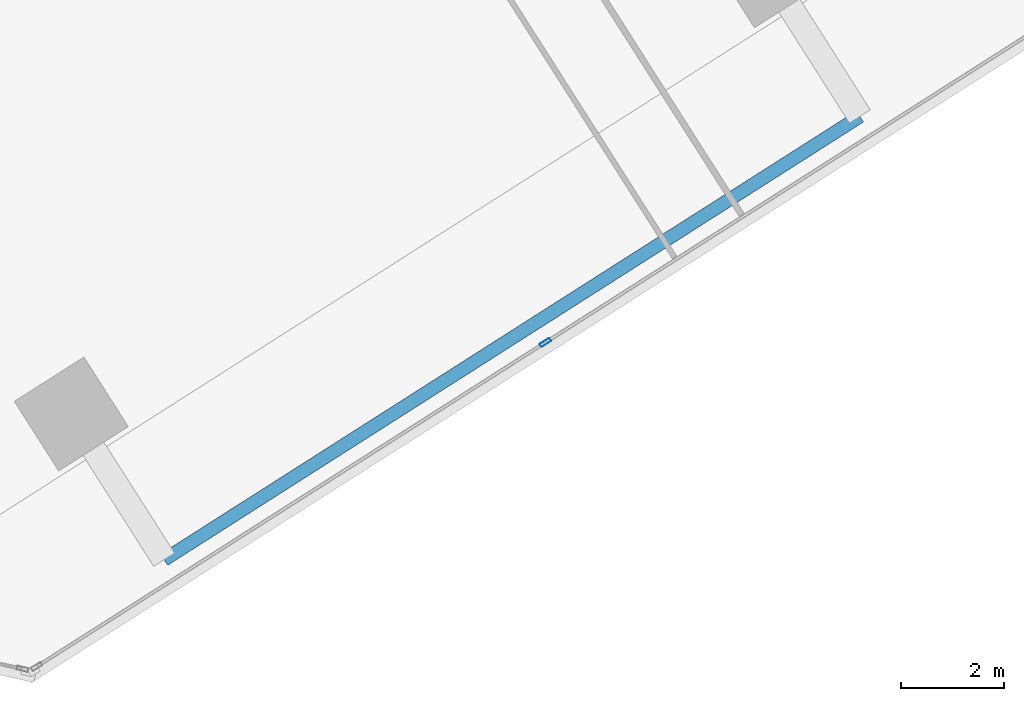
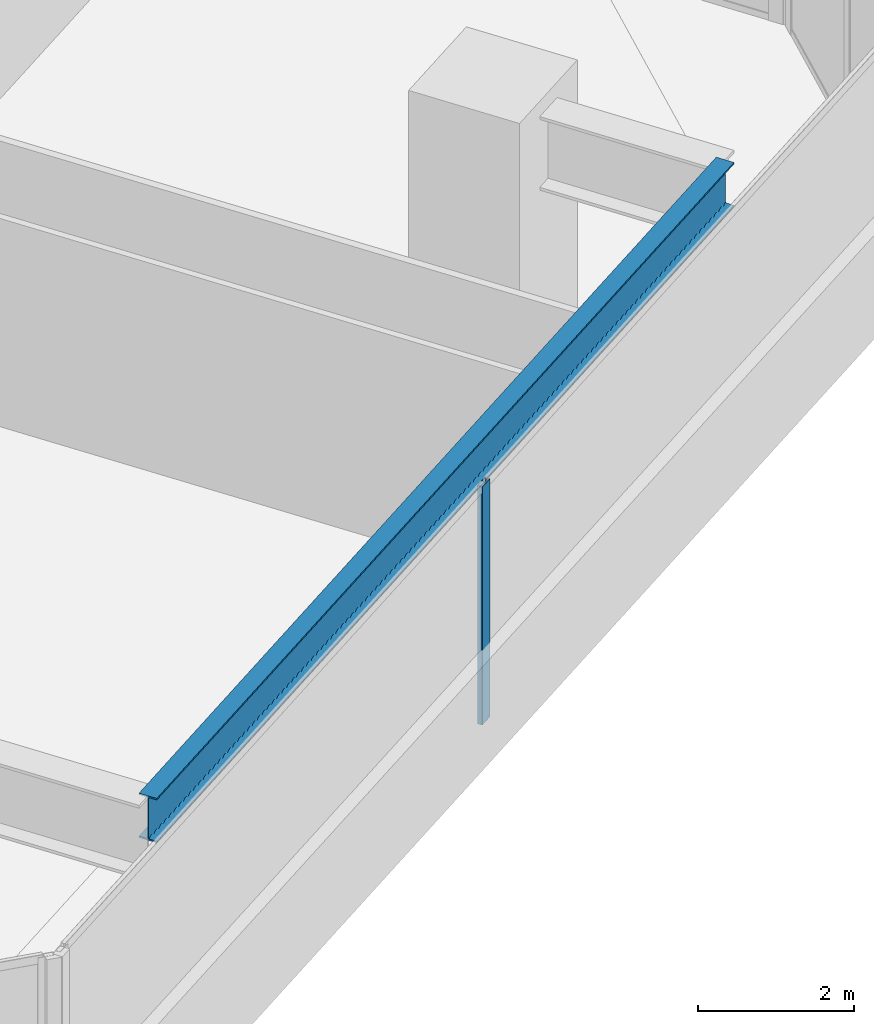
# One storey, part 5 of 15: 1 beam, 1 member, 1 element without a shape of its own.
"""IFC4 building model written with IfcOpenShell, lengths in metres."""

from ifc_helpers import new_model, si_unit, direction, frame, origin, origin_2d, place, context, subcontext, project, spatial, hollow_rectangle, i_section, extrude, source, transform, mapped, material, material_profile, profile_set, type_object, element, aggregate, save


model = new_model("IFC4")

# Units and contexts
model_context = context("Model", 3, precision=1e-05, world=origin(), true_north=direction((0.0, 1.0)))
body_context = subcontext(model_context, "Body", "Model", "MODEL_VIEW")
ifc_project = project(units=[si_unit("LENGTHUNIT", "METRE"), si_unit("AREAUNIT", "SQUARE_METRE"), si_unit("VOLUMEUNIT", "CUBIC_METRE"), si_unit("PLANEANGLEUNIT", "RADIAN"), si_unit("MASSUNIT", "GRAM", prefix="KILO")], contexts=[model_context])

# Site, building, storey
site_placement = place(None, origin())
site = spatial("IfcSite", under=ifc_project, at=site_placement, CompositionType="ELEMENT")
building_placement = place(site_placement, origin())
building = spatial("IfcBuilding", under=site, at=building_placement, Name="Torre Montelarca", CompositionType="ELEMENT")
storey_placement = place(building_placement, frame((0.0, 0.0, 307.199951171875)))
storey = spatial("IfcBuildingStorey", under=building, at=storey_placement, Name="L69", CompositionType="ELEMENT", Elevation=307.199951171875)

# Beam
ifc_material_1 = material(Name="Steel ASTM A992 Grade 50", Category="steel")
ifc_material_profile_1 = material_profile(ifc_material_1, i_section(OverallWidth=0.256103515625, OverallDepth=0.693115234375, WebThickness=0.014404296875, FlangeThickness=0.023681640625, FilletRadius=0.01806640625, at=origin_2d()), Name="W690X170", Category="steel")
ifc_profile_set_1 = profile_set([ifc_material_profile_1], Name="Steel ASTM A992 Grade 50")
beam_type = type_object("IfcBeamType", Name="BM-G-W690-EXT", PredefinedType="BEAM", material=ifc_profile_set_1)
shared_shape_1 = source(origin(), body_context, "Body", "SweptSolid", [
    extrude(i_section(OverallWidth=0.256103515625, OverallDepth=0.693115234375, WebThickness=0.014404296875, FlangeThickness=0.023681640625, FilletRadius=0.01806640625, at=origin_2d()), origin(), (0.0, 0.0, 1.0), 15.999755859375),
])
beam_placement = place(storey_placement, frame((24.34375, 12.647216796875, 3.614013671875), z_axis=(0.843392465414, 0.537298007891, 0.0), x_axis=(-0.537298007891, 0.843392465414, 0.0)))
element("IfcBeam", 1, at=beam_placement, inside=storey, type_object=beam_type, Name="L69 Sliding Tray Edge Girder East 24-40m (FLR)", PredefinedType="BEAM", context=body_context, shape_type="MappedRepresentation", body=[
    mapped(shared_shape_1, transform((0.0, 0.0, 0.0), scale=1.0)),
])

# Curtain wall, member
ifc_material_2 = material(Name="Insulated low-E laminated glass", Category="glass")
curtain_wall_type = type_object("IfcCurtainWallType", Name="CW-SYS-Z4", PredefinedType="USERDEFINED", material=ifc_material_2)
curtain_wall_placement = place(storey_placement, origin())
curtain_wall = element("IfcCurtainWall", 2, at=curtain_wall_placement, inside=storey, type_object=curtain_wall_type, Name="L69 Curtain Wall Run CW-T3-L69-E06-B1", ObjectType="UNITISED GLAZING", PredefinedType="USERDEFINED")
ifc_material_3 = material(Name="Anodised aluminium AA 6063-T6", Category="aluminium")
ifc_material_profile_2 = material_profile(ifc_material_3, hollow_rectangle(XDim=0.074951171875, YDim=0.219970703125, WallThickness=0.0048828125, InnerFilletRadius=0.0048828125, OuterFilletRadius=0.010009765625, at=origin_2d()), Name="ALU75X220X5", Category="aluminium")
ifc_profile_set_2 = profile_set([ifc_material_profile_2], Name="Anodised aluminium AA 6063-T6")
member_type = type_object("IfcMemberType", Name="CWM-ALU220", PredefinedType="MULLION", material=ifc_profile_set_2)
shared_shape_2 = source(origin(), body_context, "Body", "SweptSolid", [
    extrude(hollow_rectangle(XDim=0.074951171875, YDim=0.219970703125, WallThickness=0.0048828125, InnerFilletRadius=0.0048828125, OuterFilletRadius=0.010009765625, at=origin_2d()), origin(), (0.0, 0.0, 1.0), 3.719970703125),
])
member_placement = place(storey_placement, frame((31.73828125, 16.85986328125, 0.0), z_axis=(0.0, 0.0, 1.0), x_axis=(-0.537301679311, 0.84339012646, 0.0)))
member = element("IfcMember", 3, at=member_placement, type_object=member_type, Name="CW mullion 2", PredefinedType="MULLION", context=body_context, shape_type="MappedRepresentation", body=[
    mapped(shared_shape_2, transform((0.0, 0.0, 0.0), scale=1.0)),
])
aggregate(curtain_wall, [member])

save(model, "model.ifc")
